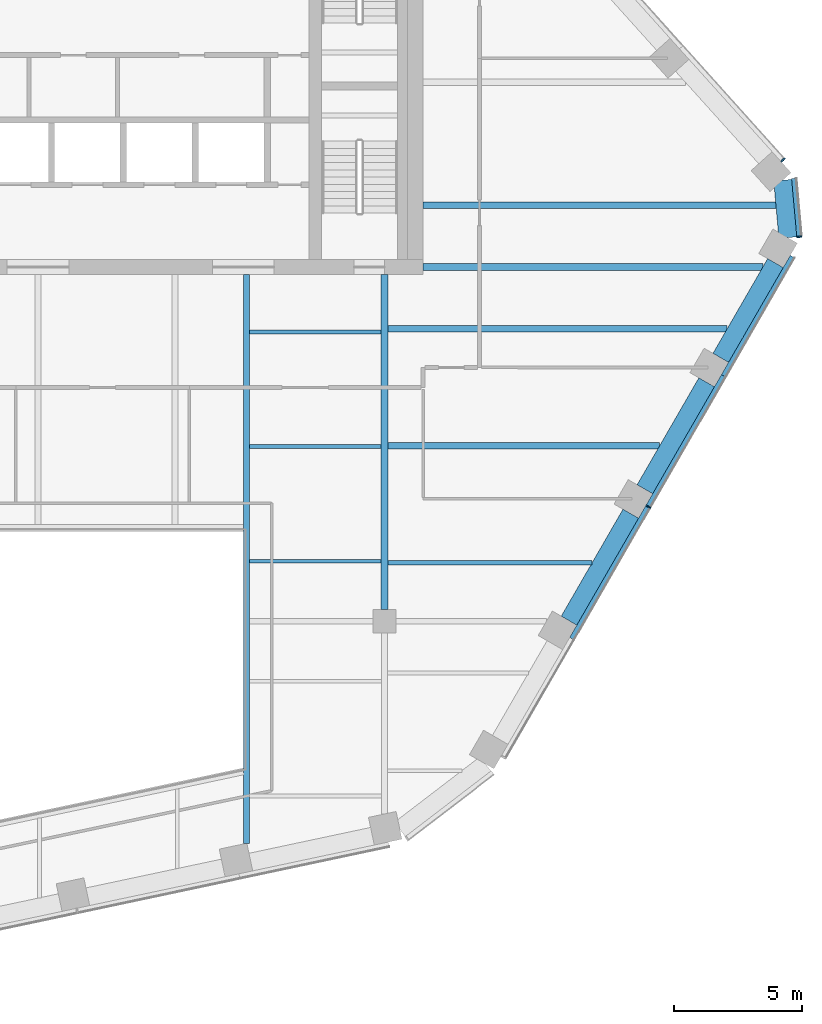
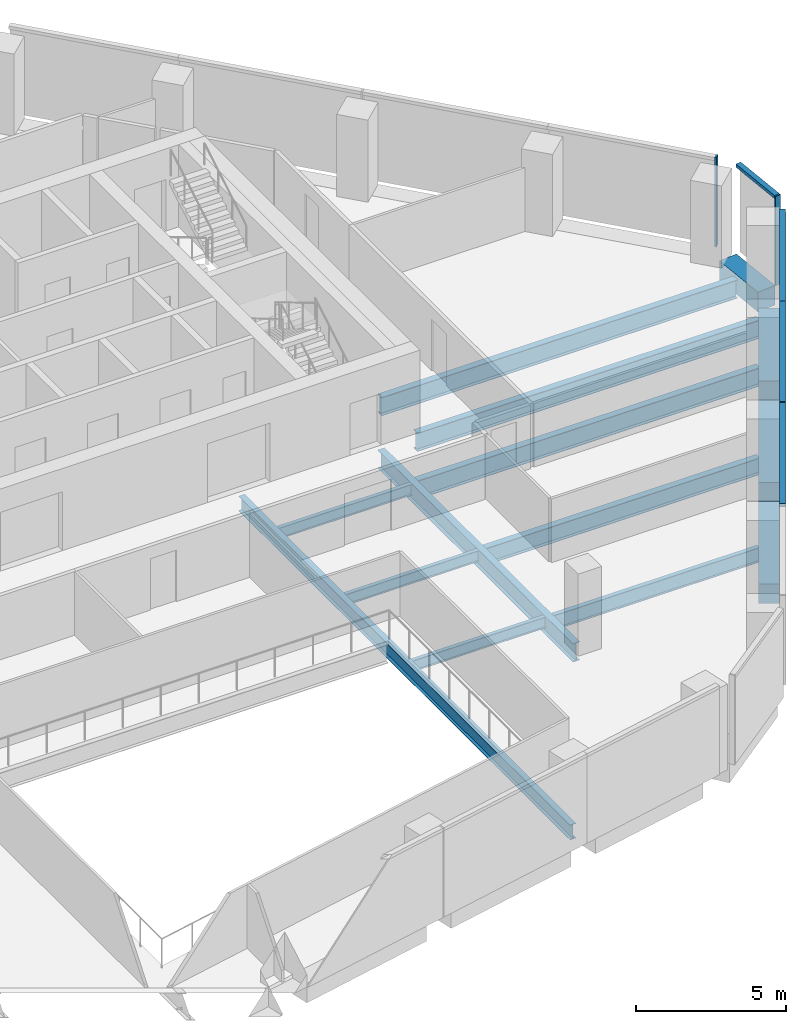
# One storey, part 5 of 16: 14 beams, 7 members, 3 elements without a shape of their own.
"""IFC4 building model written with IfcOpenShell, lengths in metres."""

from ifc_helpers import new_model, si_unit, direction, frame, origin, origin_2d, place, context, subcontext, project, spatial, rectangle, i_section, extrude, material, layer, layer_set, material_profile, profile_set, type_object, element, aggregate, save


model = new_model("IFC4")

# Units and contexts
model_context = context("Model", 3, precision=1e-05, world=origin(), true_north=direction((0.0, 1.0)))
body_context = subcontext(model_context, "Body", "Model", "MODEL_VIEW")
ifc_project = project(units=[si_unit("LENGTHUNIT", "METRE"), si_unit("AREAUNIT", "SQUARE_METRE"), si_unit("VOLUMEUNIT", "CUBIC_METRE"), si_unit("PLANEANGLEUNIT", "RADIAN"), si_unit("MASSUNIT", "GRAM", prefix="KILO")], contexts=[model_context])

# Site, building, storey
site_placement = place(None, origin())
site = spatial("IfcSite", under=ifc_project, at=site_placement, CompositionType="ELEMENT")
building_placement = place(site_placement, origin())
building = spatial("IfcBuilding", under=site, at=building_placement, Name="Isthmus Gate Tower", CompositionType="ELEMENT")
storey_placement = place(building_placement, frame((0.0, 0.0, 252.800048828125)))
storey = spatial("IfcBuildingStorey", under=building, at=storey_placement, Name="L64", CompositionType="ELEMENT", Elevation=252.800048828125)

# Curtain wall, member
ifc_material_1 = material(Name="Aluminium, pale champagne anodised", Category="aluminium")
ifc_layer = layer(ifc_material_1, 0.199951171875)
ifc_layer_set = layer_set([ifc_layer], Name="CW-1 UNITISED CURTAIN WALL 200 DEEP")
curtain_wall_type = type_object("IfcCurtainWallType", Name="CW-1 UNITISED CURTAIN WALL 200 DEEP", PredefinedType="NOTDEFINED", material=ifc_layer_set)
curtain_wall_1_placement = place(storey_placement, origin())
curtain_wall_1 = element("IfcCurtainWall", 1, at=curtain_wall_1_placement, inside=storey, type_object=curtain_wall_type, Name="CW-1 SE L64", PredefinedType="NOTDEFINED")
ifc_material_2 = material(Name="Aluminium, pale champagne anodised", Category="aluminium")
ifc_material_profile_1 = material_profile(ifc_material_2, rectangle(XDim=0.06005859375, YDim=0.199951171875, at=origin_2d()), Name="60x200")
ifc_profile_set_1 = profile_set([ifc_material_profile_1], Name="Aluminium, pale champagne anodised")
member_type_1 = type_object("IfcMemberType", Name="CW-1 MULLION 60 X 200", PredefinedType="MULLION", material=ifc_profile_set_1)
member_1_placement = place(storey_placement, frame((23.767333984375, -9.033935546875, 0.0), z_axis=(0.0, 0.0, 1.0), x_axis=(0.5, 0.866025403784, 0.0)))
member_1 = element("IfcMember", 2, at=member_1_placement, type_object=member_type_1, Name="CW-1 mullion", PredefinedType="MULLION", context=body_context, shape_type="SweptSolid", body=[
    extrude(rectangle(XDim=0.06005859375, YDim=0.199951171875, at=origin_2d()), origin(), (0.0, 0.0, 1.0), 3.64990234375),
])

curtain_wall_2_placement = place(storey_placement, origin())
curtain_wall_2 = element("IfcCurtainWall", 3, at=curtain_wall_2_placement, inside=storey, type_object=curtain_wall_type, Name="CW-1 SE-NE L64", PredefinedType="NOTDEFINED")
member_2_placement = place(storey_placement, frame((29.654296875, 1.4765625, 0.0), z_axis=(0.0, 0.0, 1.0), x_axis=(-0.089396669717, 0.995996102123, 0.0)))
member_2 = element("IfcMember", 4, at=member_2_placement, type_object=member_type_1, Name="CW-1 mullion", PredefinedType="MULLION", context=body_context, shape_type="SweptSolid", body=[
    extrude(rectangle(XDim=0.06005859375, YDim=0.199951171875, at=origin_2d()), origin(), (0.0, 0.0, 1.0), 3.64990234375),
])

curtain_wall_3_placement = place(storey_placement, origin())
curtain_wall_3 = element("IfcCurtainWall", 5, at=curtain_wall_3_placement, inside=storey, type_object=curtain_wall_type, Name="CW-1 NE L64", PredefinedType="NOTDEFINED")
member_3_placement = place(storey_placement, frame((29.016357421875, 4.46923828125, 0.0), z_axis=(0.0, 0.0, 1.0), x_axis=(-0.669130606359, 0.743144825477, 0.0)))
member_3 = element("IfcMember", 6, at=member_3_placement, type_object=member_type_1, Name="CW-1 mullion", PredefinedType="MULLION", context=body_context, shape_type="SweptSolid", body=[
    extrude(rectangle(XDim=0.06005859375, YDim=0.199951171875, at=origin_2d()), origin(), (0.0, 0.0, 1.0), 3.64990234375),
])
aggregate(curtain_wall_3, [member_3])

# Member
ifc_material_3 = material(Name="Aluminium, pale champagne anodised", Category="aluminium")
ifc_material_profile_2 = material_profile(ifc_material_3, rectangle(XDim=0.199951171875, YDim=0.1298828125, at=origin_2d()), Name="200x130")
ifc_profile_set_2 = profile_set([ifc_material_profile_2], Name="Aluminium, pale champagne anodised")
member_type_2 = type_object("IfcMemberType", Name="CW-1 TRANSOM 200 X 130", PredefinedType="USERDEFINED", material=ifc_profile_set_2)
member_4_placement = place(storey_placement, frame((20.796875, -14.178466796875, 3.5849609375), z_axis=(0.500008496284, 0.866020498397, 0.0), x_axis=(-0.866020498397, 0.500008496284, 0.0)))
member_4 = element("IfcMember", 7, at=member_4_placement, type_object=member_type_2, Name="CW-1 transom", ObjectType="TRANSOM", PredefinedType="USERDEFINED", context=body_context, shape_type="SweptSolid", body=[
    extrude(rectangle(XDim=0.199951171875, YDim=0.1298828125, at=origin_2d()), origin(), (0.0, 0.0, 1.0), 5.91064453125),
])

member_5_placement = place(storey_placement, frame((23.7822265625, -9.0078125, 3.5849609375), z_axis=(0.500007820066, 0.86602088882, 0.0), x_axis=(-0.86602088882, 0.500007820066, 0.0)))
member_5 = element("IfcMember", 8, at=member_5_placement, type_object=member_type_2, Name="CW-1 transom", ObjectType="TRANSOM", PredefinedType="USERDEFINED", context=body_context, shape_type="SweptSolid", body=[
    extrude(rectangle(XDim=0.199951171875, YDim=0.1298828125, at=origin_2d()), origin(), (0.0, 0.0, 1.0), 5.8505859375),
])

member_6_placement = place(storey_placement, frame((26.70751953125, -3.941162109375, 3.5849609375), z_axis=(0.50002338526, 0.866011901877, 0.0), x_axis=(-0.866011901877, 0.50002338526, 0.0)))
member_6 = element("IfcMember", 9, at=member_6_placement, type_object=member_type_2, Name="CW-1 transom", ObjectType="TRANSOM", PredefinedType="USERDEFINED", context=body_context, shape_type="SweptSolid", body=[
    extrude(rectangle(XDim=0.199951171875, YDim=0.1298828125, at=origin_2d()), origin(), (0.0, 0.0, 1.0), 5.360595703125),
])

aggregate(curtain_wall_1, [member_4, member_1, member_5, member_6])

member_7_placement = place(storey_placement, frame((29.651611328125, 1.506591796875, 3.5849609375), z_axis=(-0.089395362867, 0.995996219419, 0.0), x_axis=(-0.995996219419, -0.089395362867, 0.0)))
member_7 = element("IfcMember", 10, at=member_7_placement, type_object=member_type_2, Name="CW-1 transom", ObjectType="TRANSOM", PredefinedType="USERDEFINED", context=body_context, shape_type="SweptSolid", body=[
    extrude(rectangle(XDim=0.199951171875, YDim=0.1298828125, at=origin_2d()), origin(), (0.0, 0.0, 1.0), 2.258544921875),
])

aggregate(curtain_wall_2, [member_2, member_7])

# Beams
ifc_material_4 = material(Name="Concrete f'c 50 MPa", Category="concrete")
ifc_material_profile_3 = material_profile(ifc_material_4, rectangle(XDim=0.699951171875, YDim=0.800048828125, at=origin_2d()), Name="RC 700X800")
ifc_profile_set_3 = profile_set([ifc_material_profile_3], Name="Concrete f'c 50 MPa")
beam_type_1 = type_object("IfcBeamType", Name="RC SPANDREL 700 X 800", PredefinedType="SPANDREL", material=ifc_profile_set_3)
beam_1_placement = place(storey_placement, frame((29.0048828125, 3.678466796875, -0.400146484375), z_axis=(0.089359478208, -0.995999439585, 0.0), x_axis=(0.995999439585, 0.089359478208, 0.0)))
element("IfcBeam", 11, at=beam_1_placement, inside=storey, type_object=beam_type_1, Name="str-spandrel-L64-05", PredefinedType="SPANDREL", context=body_context, shape_type="SweptSolid", body=[
    extrude(rectangle(XDim=0.699951171875, YDim=0.800048828125, at=origin_2d()), origin(), (0.0, 0.0, 1.0), 2.245849609375),
])
beam_2_placement = place(storey_placement, frame((28.72314453125, 0.449951171875, -0.400146484375), z_axis=(-0.500021719575, -0.866012863619, 0.0), x_axis=(0.866012863619, -0.500021719575, 0.0)))
element("IfcBeam", 12, at=beam_2_placement, inside=storey, type_object=beam_type_1, Name="str-spandrel-L64-06", PredefinedType="SPANDREL", context=body_context, shape_type="SweptSolid", body=[
    extrude(rectangle(XDim=0.699951171875, YDim=0.800048828125, at=origin_2d()), origin(), (0.0, 0.0, 1.0), 4.260498046875),
])
for number, where, z_axis, x_axis, name in (
    (13, (26.04296875, -4.1923828125, -0.400146484375), (-0.500019702373, -0.866014028315, 0.0), (0.866014028315, -0.500019702373, 0.0), "str-spandrel-L64-07"),
    (14, (23.087646484375, -9.31103515625, -0.400146484375), (-0.49998164095, -0.866036003127, 0.0), (0.866036003127, -0.49998164095, 0.0), "str-spandrel-L64-08"),
):
    element("IfcBeam", number, at=place(storey_placement, frame(where, z_axis=z_axis, x_axis=x_axis)), inside=storey, type_object=beam_type_1, Name=name, PredefinedType="SPANDREL", context=body_context, shape_type="SweptSolid", body=[
        extrude(rectangle(XDim=0.699951171875, YDim=0.800048828125, at=origin_2d()), origin(), (0.0, 0.0, 1.0), 4.810791015625),
    ])
ifc_material_5 = material(Name="Structural steel ASTM A992 Gr 50", Category="steel")
ifc_material_profile_4 = material_profile(ifc_material_5, i_section(OverallWidth=0.15234375, OverallDepth=0.45068359375, WebThickness=0.0078125, FlangeThickness=0.010986328125, at=origin_2d()), Name="W18X35")
ifc_profile_set_4 = profile_set([ifc_material_profile_4], Name="Structural steel ASTM A992 Gr 50")
beam_type_2 = type_object("IfcBeamType", Name="STEEL FLOOR BEAM W18X35", PredefinedType="JOIST", material=ifc_profile_set_4)
for number, where, z_axis, x_axis, name in (
    (15, (8.228515625, -11.16259765625, -0.37548828125), (1.0, 0.0, 0.0), (0.0, 1.0, 0.0), "str-beam-L64-10-00"),
    (16, (8.228515625, -6.697509765625, -0.37548828125), (1.0, 0.0, 0.0), (0.0, 1.0, 0.0), "str-beam-L64-10-01"),
    (17, (8.228515625, -2.232421875, -0.37548828125), (1.0, 0.0, 0.0), (0.0, 1.0, 0.0), "str-beam-L64-10-02"),
):
    element("IfcBeam", number, at=place(storey_placement, frame(where, z_axis=z_axis, x_axis=x_axis)), inside=storey, type_object=beam_type_2, Name=name, PredefinedType="JOIST", context=body_context, shape_type="SweptSolid", body=[
        extrude(i_section(OverallWidth=0.15234375, OverallDepth=0.45068359375, WebThickness=0.0078125, FlangeThickness=0.010986328125, at=origin_2d()), origin(), (0.0, 0.0, 1.0), 5.1396484375),
    ])
ifc_material_6 = material(Name="Structural steel ASTM A992 Gr 50", Category="steel")
ifc_material_profile_5 = material_profile(ifc_material_6, i_section(OverallWidth=0.177734375, OverallDepth=0.60009765625, WebThickness=0.009521484375, FlangeThickness=0.0126953125, at=origin_2d()), Name="W24X55")
ifc_profile_set_5 = profile_set([ifc_material_profile_5], Name="Structural steel ASTM A992 Gr 50")
beam_type_3 = type_object("IfcBeamType", Name="STEEL FLOOR BEAM W24X55", PredefinedType="JOIST", material=ifc_profile_set_5)
beam_3_placement = place(storey_placement, frame((13.6318359375, -11.221923828125, -0.4501953125), z_axis=(1.0, 0.0, 0.0), x_axis=(0.0, 1.0, 0.0)))
element("IfcBeam", 18, at=beam_3_placement, inside=storey, type_object=beam_type_3, Name="str-beam-L64-12-00", PredefinedType="JOIST", context=body_context, shape_type="SweptSolid", body=[
    extrude(i_section(OverallWidth=0.177734375, OverallDepth=0.60009765625, WebThickness=0.009521484375, FlangeThickness=0.0126953125, at=origin_2d()), origin(), (0.0, 0.0, 1.0), 7.948486328125),
])
ifc_material_7 = material(Name="Structural steel ASTM A992 Gr 50", Category="steel")
ifc_material_profile_6 = material_profile(ifc_material_7, i_section(OverallWidth=0.25390625, OverallDepth=0.679443359375, WebThickness=0.010986328125, FlangeThickness=0.015869140625, at=origin_2d()), Name="W27X84")
ifc_profile_set_6 = profile_set([ifc_material_profile_6], Name="Structural steel ASTM A992 Gr 50")
beam_type_4 = type_object("IfcBeamType", Name="STEEL FLOOR BEAM W27X84", PredefinedType="JOIST", material=ifc_profile_set_6)
beam_4_placement = place(storey_placement, frame((13.6318359375, -6.665771484375, -0.48974609375), z_axis=(1.0, 0.0, 0.0), x_axis=(0.0, 1.0, 0.0)))
element("IfcBeam", 19, at=beam_4_placement, inside=storey, type_object=beam_type_4, Name="str-beam-L64-12-01", PredefinedType="JOIST", context=body_context, shape_type="SweptSolid", body=[
    extrude(i_section(OverallWidth=0.25390625, OverallDepth=0.679443359375, WebThickness=0.010986328125, FlangeThickness=0.015869140625, at=origin_2d()), origin(), (0.0, 0.0, 1.0), 10.578857421875),
])
ifc_material_8 = material(Name="Structural steel ASTM A992 Gr 50", Category="steel")
ifc_material_profile_7 = material_profile(ifc_material_8, i_section(OverallWidth=0.263427734375, OverallDepth=0.749267578125, WebThickness=0.0126953125, FlangeThickness=0.015869140625, at=origin_2d()), Name="W30X90")
ifc_profile_set_7 = profile_set([ifc_material_profile_7], Name="Structural steel ASTM A992 Gr 50")
beam_type_5 = type_object("IfcBeamType", Name="STEEL FLOOR BEAM W30X90", PredefinedType="JOIST", material=ifc_profile_set_7)
beam_5_placement = place(storey_placement, frame((13.6318359375, -2.10986328125, -0.524658203125), z_axis=(1.0, 0.0, 0.0), x_axis=(0.0, 1.0, 0.0)))
element("IfcBeam", 20, at=beam_5_placement, inside=storey, type_object=beam_type_5, Name="str-beam-L64-12-02", PredefinedType="JOIST", context=body_context, shape_type="SweptSolid", body=[
    extrude(i_section(OverallWidth=0.263427734375, OverallDepth=0.749267578125, WebThickness=0.0126953125, FlangeThickness=0.015869140625, at=origin_2d()), origin(), (0.0, 0.0, 1.0), 13.209228515625),
])
beam_6_placement = place(storey_placement, frame((15.0, 2.699951171875, -0.524658203125), z_axis=(1.0, 0.0, 0.0), x_axis=(0.0, 1.0, 0.0)))
element("IfcBeam", 21, at=beam_6_placement, inside=storey, type_object=beam_type_5, Name="str-beam-L64-13-00", PredefinedType="JOIST", context=body_context, shape_type="SweptSolid", body=[
    extrude(i_section(OverallWidth=0.263427734375, OverallDepth=0.749267578125, WebThickness=0.0126953125, FlangeThickness=0.015869140625, at=origin_2d()), origin(), (0.0, 0.0, 1.0), 13.7412109375),
])
ifc_material_9 = material(Name="Structural steel ASTM A992 Gr 50", Category="steel")
ifc_material_profile_8 = material_profile(ifc_material_9, i_section(OverallWidth=0.263427734375, OverallDepth=0.749267578125, WebThickness=0.0126953125, FlangeThickness=0.015869140625, at=origin_2d()), Name="W30X90")
ifc_profile_set_8 = profile_set([ifc_material_profile_8], Name="Structural steel ASTM A992 Gr 50")
beam_type_6 = type_object("IfcBeamType", Name="STEEL GIRDER W30X90", PredefinedType="BEAM", material=ifc_profile_set_8)
beam_7_placement = place(storey_placement, frame((13.5, -13.050048828125, -0.524658203125), z_axis=(0.0, 1.0, 0.0), x_axis=(-1.0, 0.0, 0.0)))
element("IfcBeam", 22, at=beam_7_placement, inside=storey, type_object=beam_type_6, Name="str-girder-L64-08", PredefinedType="BEAM", context=body_context, shape_type="SweptSolid", body=[
    extrude(i_section(OverallWidth=0.263427734375, OverallDepth=0.749267578125, WebThickness=0.0126953125, FlangeThickness=0.015869140625, at=origin_2d()), origin(), (0.0, 0.0, 1.0), 13.050048828125),
])
beam_8_placement = place(storey_placement, frame((15.0, 0.300048828125, -0.524658203125), z_axis=(1.0, 0.0, 0.0), x_axis=(0.0, 1.0, 0.0)))
element("IfcBeam", 23, at=beam_8_placement, inside=storey, type_object=beam_type_6, Name="str-girder-L64-10", PredefinedType="BEAM", context=body_context, shape_type="SweptSolid", body=[
    extrude(i_section(OverallWidth=0.263427734375, OverallDepth=0.749267578125, WebThickness=0.0126953125, FlangeThickness=0.015869140625, at=origin_2d()), origin(), (0.0, 0.0, 1.0), 13.232421875),
])
ifc_material_10 = material(Name="Structural steel ASTM A992 Gr 50", Category="steel")
ifc_material_profile_9 = material_profile(ifc_material_10, i_section(OverallWidth=0.228515625, OverallDepth=0.6064453125, WebThickness=0.010986328125, FlangeThickness=0.017578125, at=origin_2d()), Name="W24X76")
ifc_profile_set_9 = profile_set([ifc_material_profile_9], Name="Structural steel ASTM A992 Gr 50")
beam_type_7 = type_object("IfcBeamType", Name="STEEL TRIMMER W24X76", PredefinedType="BEAM", material=ifc_profile_set_9)
beam_9_placement = place(storey_placement, frame((8.1142578125, -22.150634765625, -0.453369140625), z_axis=(0.0, 1.0, 0.0), x_axis=(-1.0, 0.0, 0.0)))
element("IfcBeam", 24, at=beam_9_placement, inside=storey, type_object=beam_type_7, Name="str-trimmer-L64-01", PredefinedType="BEAM", context=body_context, shape_type="SweptSolid", body=[
    extrude(i_section(OverallWidth=0.228515625, OverallDepth=0.6064453125, WebThickness=0.010986328125, FlangeThickness=0.017578125, at=origin_2d()), origin(), (0.0, 0.0, 1.0), 22.150634765625),
])

save(model, "model.ifc")
